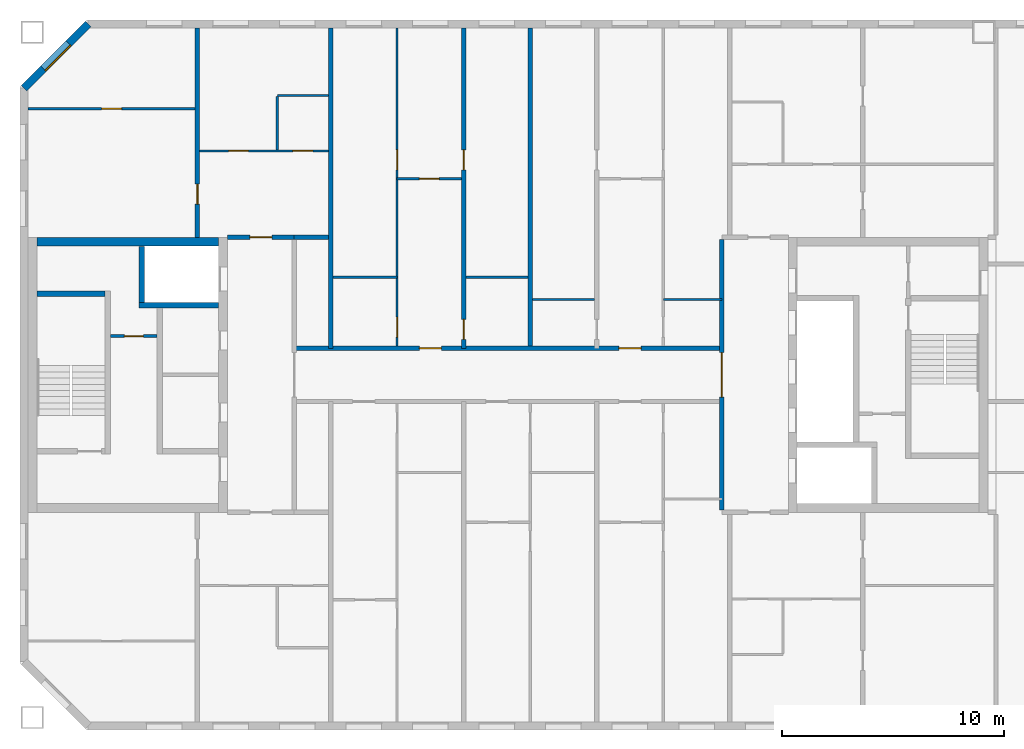
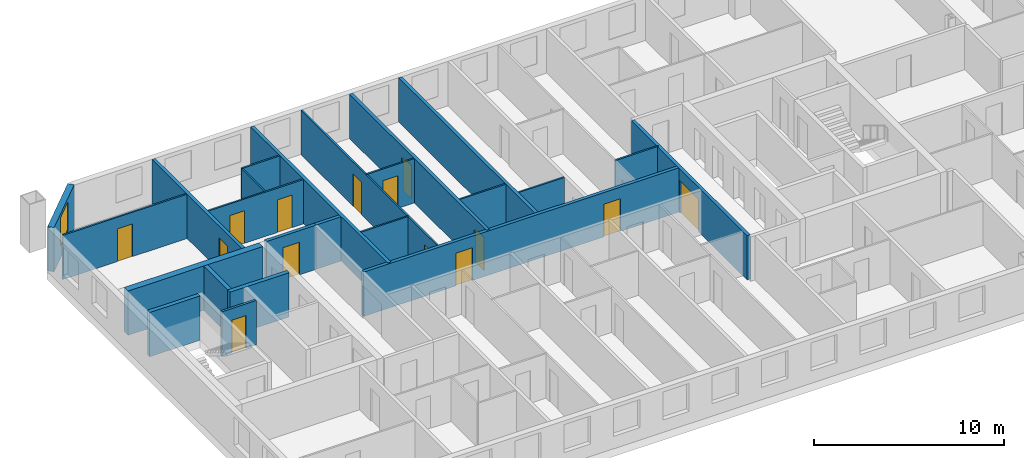
# One storey, part 6 of 19: 24 walls, 14 doors, 1 window, 15 openings.
"""IFC4 building model written with IfcOpenShell, lengths in metres."""

from ifc_helpers import new_model, si_unit, direction, frame, frame_2d, origin, place, context, subcontext, project, spatial, rectangle, extrude, material, layer, layer_set, type_object, element, fill, save


model = new_model("IFC4")

# Units and contexts
model_context = context("Model", 3, precision=1e-05, world=origin(), true_north=direction((0.0, 1.0)))
body_context = subcontext(model_context, "Body", "Model", "MODEL_VIEW")
ifc_project = project(units=[si_unit("LENGTHUNIT", "METRE"), si_unit("AREAUNIT", "SQUARE_METRE"), si_unit("VOLUMEUNIT", "CUBIC_METRE"), si_unit("PLANEANGLEUNIT", "RADIAN"), si_unit("MASSUNIT", "GRAM", prefix="KILO")], contexts=[model_context])

# Site, building, storey
site_placement = place(None, origin())
site = spatial("IfcSite", under=ifc_project, at=site_placement, CompositionType="ELEMENT")
building_placement = place(site_placement, origin())
building = spatial("IfcBuilding", under=site, at=building_placement, Name="Tuart Gate Housing", CompositionType="ELEMENT")
storey_placement = place(building_placement, frame((0.0, 0.0, 202.800048828125)))
storey = spatial("IfcBuildingStorey", under=building, at=storey_placement, Name="L57", CompositionType="ELEMENT", Elevation=202.800048828125)

# Wall, opening, window
ifc_material_1 = material(Name="Brick", Category="masonry")
ifc_layer_1 = layer(ifc_material_1, 0.360107421875)
ifc_layer_set_1 = layer_set([ifc_layer_1], Name="Brick pier and spandrel wall 360")
wall_type_1 = type_object("IfcWallType", Name="Brick pier and spandrel wall 360", PredefinedType="STANDARD", material=ifc_layer_set_1)
wall_1_placement = place(storey_placement, frame((35.07470703125, 85.820068359375, 0.0), z_axis=(0.0, 0.0, 1.0), x_axis=(-0.707106781187, -0.707106781187, 0.0)))
wall_1 = element("IfcWall", 1, at=wall_1_placement, inside=storey, type_object=wall_type_1, Name="External wall BLK-NW L57", PredefinedType="STANDARD", context=body_context, shape_type="SweptSolid", body=[
    extrude(rectangle(XDim=4.09375, YDim=0.360107421875, at=frame_2d((2.046875, 0.0))), origin(), (0.0, 0.0, 1.0), 2.849853515625),
])
opening_1_placement = place(wall_1_placement, frame((1.2470703125, 0.0, 0.800048828125)))
opening_1 = element("IfcOpeningElement", 2, at=opening_1_placement, cuts=wall_1, Name="Opening W1", PredefinedType="OPENING", context=body_context, shape_type="SweptSolid", body=[
    extrude(rectangle(XDim=1.60009765625, YDim=1.800048828125, at=frame_2d((0.800048828125, 0.89990234375))), frame((0.0, 0.18994140625, 0.0), z_axis=(0.0, -1.0, 0.0), x_axis=(1.0, 0.0, 0.0)), (0.0, 0.0, 1.0), 0.380126953125),
])
ifc_material_2 = material(Name="Aluminium frame with clear glass", Category="aluminium")
window_type = type_object("IfcWindowType", Name="Punched window 1600 x 1800", PartitioningType="SINGLE_PANEL", PredefinedType="WINDOW", material=ifc_material_2)
window_placement = place(opening_1_placement, origin())
window = element("IfcWindow", 3, at=window_placement, inside=storey, type_object=window_type, Name="Window W1", OverallHeight=1.800048828125, OverallWidth=1.60009765625, PartitioningType="SINGLE_PANEL", PredefinedType="WINDOW", context=body_context, shape_type="SweptSolid", body=[
    extrude(rectangle(XDim=1.60009765625, YDim=1.800048828125, at=frame_2d((0.800048828125, 0.89990234375))), frame((0.0, 0.150146484375, 0.0), z_axis=(0.0, -1.0, 0.0), x_axis=(1.0, 0.0, 0.0)), (0.0, 0.0, 1.0), 0.06005859375),
])
fill(opening_1, window)

# Wall, opening, door
ifc_material_3 = material(Name="Plasterboard partition")
ifc_layer_2 = layer(ifc_material_3, 0.14990234375)
ifc_layer_set_2 = layer_set([ifc_layer_2], Name="Core partition 150")
wall_type_2 = type_object("IfcWallType", Name="Core partition 150", PredefinedType="PARTITIONING", material=ifc_layer_set_2)
wall_2_placement = place(storey_placement, frame((38.18505859375, 71.75, 0.0), z_axis=(0.0, 0.0, 1.0), x_axis=(-1.0, 0.0, 0.0)))
wall_2 = element("IfcWall", 4, at=wall_2_placement, inside=storey, type_object=wall_type_2, Name="Core partition AK.3", PredefinedType="PARTITIONING", context=body_context, shape_type="SweptSolid", body=[
    extrude(rectangle(XDim=2.10009765625, YDim=0.14990234375, at=frame_2d((1.050048828125, 0.0))), origin(), (0.0, 0.0, 1.0), 2.849853515625),
])
opening_2_placement = place(wall_2_placement, frame((0.625, 0.0, 0.0)))
opening_2 = element("IfcOpeningElement", 5, at=opening_2_placement, cuts=wall_2, Name="Opening D1967", PredefinedType="OPENING", context=body_context, shape_type="SweptSolid", body=[
    extrude(rectangle(XDim=0.85009765625, YDim=2.10009765625, at=frame_2d((0.425048828125, 1.050048828125))), frame((0.0, 0.0849609375, 0.0), z_axis=(0.0, -1.0, 0.0), x_axis=(1.0, 0.0, 0.0)), (0.0, 0.0, 1.0), 0.169921875),
])
ifc_material_4 = material(Name="Steel fire door", Category="steel")
door_type_1 = type_object("IfcDoorType", Name="Riser door 850 x 2100 RH", OperationType="SINGLE_SWING_RIGHT", PredefinedType="DOOR", material=ifc_material_4)
door_1_placement = place(opening_2_placement, frame((0.85009765625, 0.0, 0.0), z_axis=(0.0, 0.0, 1.0), x_axis=(-1.0, 0.0, 0.0)))
door_1 = element("IfcDoor", 6, at=door_1_placement, inside=storey, type_object=door_type_1, Name="Service room door AK.E1", OperationType="SINGLE_SWING_RIGHT", OverallHeight=2.10009765625, OverallWidth=0.85009765625, PredefinedType="DOOR", context=body_context, shape_type="SweptSolid", body=[
    extrude(rectangle(XDim=0.85009765625, YDim=2.10009765625, at=frame_2d((0.425048828125, 1.050048828125))), frame((0.0, 0.025146484375, 0.0), z_axis=(0.0, -1.0, 0.0), x_axis=(1.0, 0.0, 0.0)), (0.0, 0.0, 1.0), 0.050048828125),
])
fill(opening_2, door_1)

# Walls
ifc_material_5 = material(Name="Concrete C40", Category="concrete")
ifc_layer_3 = layer(ifc_material_5, 0.25)
ifc_layer_set_3 = layer_set([ifc_layer_3], Name="Core wall 250 C40")
wall_type_3 = type_object("IfcWallType", Name="Core wall 250 C40", PredefinedType="SHEAR", material=ifc_layer_set_3)
wall_3_placement = place(storey_placement, frame((35.8349609375, 73.64990234375, 0.0), z_axis=(0.0, 0.0, 1.0), x_axis=(-1.0, 0.0, 0.0)))
element("IfcWall", 7, at=wall_3_placement, inside=storey, type_object=wall_type_3, Name="Core wall AK.1", PredefinedType="SHEAR", context=body_context, shape_type="SweptSolid", body=[
    extrude(rectangle(XDim=3.074951171875, YDim=0.25, at=frame_2d((1.53759765625, 0.0))), origin(), (0.0, 0.0, 1.0), 2.849853515625),
])
wall_4_placement = place(storey_placement, frame((40.9599609375, 73.14990234375, 0.0), z_axis=(0.0, 0.0, 1.0), x_axis=(-1.0, 0.0, 0.0)))
element("IfcWall", 8, at=wall_4_placement, inside=storey, type_object=wall_type_3, Name="Core wall AK.2", PredefinedType="SHEAR", context=body_context, shape_type="SweptSolid", body=[
    extrude(rectangle(XDim=3.594970703125, YDim=0.25, at=frame_2d((1.79736328125, 0.0))), origin(), (0.0, 0.0, 1.0), 2.849853515625),
])
wall_5_placement = place(storey_placement, frame((37.489990234375, 75.800048828125, 0.0), z_axis=(0.0, 0.0, 1.0), x_axis=(0.0, -1.0, 0.0)))
element("IfcWall", 9, at=wall_5_placement, inside=storey, type_object=wall_type_3, Name="Core wall AK.8", PredefinedType="SHEAR", context=body_context, shape_type="SweptSolid", body=[
    extrude(rectangle(XDim=2.525146484375, YDim=0.25, at=frame_2d((1.2626953125, 0.0))), origin(), (0.0, 0.0, 1.0), 2.849853515625),
])
ifc_material_6 = material(Name="Concrete C40", Category="concrete")
ifc_layer_4 = layer(ifc_material_6, 0.39990234375)
ifc_layer_set_4 = layer_set([ifc_layer_4], Name="Core wall 400 C40")
wall_type_4 = type_object("IfcWallType", Name="Core wall 400 C40", PredefinedType="SHEAR", material=ifc_layer_set_4)
wall_6_placement = place(storey_placement, frame((40.9599609375, 76.0, 0.0), z_axis=(0.0, 0.0, 1.0), x_axis=(-1.0, 0.0, 0.0)))
element("IfcWall", 10, at=wall_6_placement, inside=storey, type_object=wall_type_4, Name="Core wall AK south", PredefinedType="SHEAR", context=body_context, shape_type="SweptSolid", body=[
    extrude(rectangle(XDim=8.199951171875, YDim=0.39990234375, at=frame_2d((4.10009765625, 0.0))), origin(), (0.0, 0.0, 1.0), 2.849853515625),
])

# Wall, openings, doors
ifc_material_7 = material(Name="Concrete masonry 15 MPa", Category="masonry")
ifc_layer_5 = layer(ifc_material_7, 0.199951171875)
ifc_layer_set_5 = layer_set([ifc_layer_5], Name="Corridor wall masonry 200")
wall_type_5 = type_object("IfcWallType", Name="Corridor wall masonry 200", PredefinedType="PARTITIONING", material=ifc_layer_set_5)
wall_7_placement = place(storey_placement, frame((44.360107421875, 71.199951171875, 0.0), z_axis=(0.0, 0.0, 1.0), x_axis=(1.0, 0.0, 0.0)))
wall_7 = element("IfcWall", 11, at=wall_7_placement, inside=storey, type_object=wall_type_5, Name="Corridor wall masonry 200", PredefinedType="PARTITIONING", context=body_context, shape_type="SweptSolid", body=[
    extrude(rectangle(XDim=19.27978515625, YDim=0.199951171875, at=frame_2d((9.639892578125, 0.0))), origin(), (0.0, 0.0, 1.0), 2.849853515625),
])
opening_3_placement = place(wall_7_placement, frame((14.639892578125, 0.0, 0.0)))
opening_3 = element("IfcOpeningElement", 12, at=opening_3_placement, cuts=wall_7, Name="Opening D1968", PredefinedType="OPENING", context=body_context, shape_type="SweptSolid", body=[
    extrude(rectangle(XDim=1.0, YDim=2.10009765625, at=frame_2d((0.5, 1.050048828125))), frame((0.0, 0.10986328125, 0.0), z_axis=(0.0, -1.0, 0.0), x_axis=(1.0, 0.0, 0.0)), (0.0, 0.0, 1.0), 0.219970703125),
])
opening_4_placement = place(wall_7_placement, frame((5.639892578125, 0.0, 0.0)))
opening_4 = element("IfcOpeningElement", 13, at=opening_4_placement, cuts=wall_7, Name="Opening D1969", PredefinedType="OPENING", context=body_context, shape_type="SweptSolid", body=[
    extrude(rectangle(XDim=1.0, YDim=2.10009765625, at=frame_2d((0.5, 1.050048828125))), frame((0.0, 0.10986328125, 0.0), z_axis=(0.0, -1.0, 0.0), x_axis=(1.0, 0.0, 0.0)), (0.0, 0.0, 1.0), 0.219970703125),
])
ifc_material_8 = material(Name="Timber door leaf in steel frame", Category="steel")
door_type_2 = type_object("IfcDoorType", Name="Flat entrance door 1000", OperationType="SINGLE_SWING_LEFT", PredefinedType="DOOR", material=ifc_material_8)
door_2_placement = place(opening_3_placement, origin())
door_2 = element("IfcDoor", 14, at=door_2_placement, inside=storey, type_object=door_type_2, Name="Flat entrance door", OperationType="SINGLE_SWING_LEFT", OverallHeight=2.10009765625, OverallWidth=1.0, PredefinedType="DOOR", context=body_context, shape_type="SweptSolid", body=[
    extrude(rectangle(XDim=1.0, YDim=2.10009765625, at=frame_2d((0.5, 1.050048828125))), frame((0.0, 0.02490234375, 0.0), z_axis=(0.0, -1.0, 0.0), x_axis=(1.0, 0.0, 0.0)), (0.0, 0.0, 1.0), 0.050048828125),
])
fill(opening_3, door_2)
door_3_placement = place(opening_4_placement, origin())
door_3 = element("IfcDoor", 15, at=door_3_placement, inside=storey, type_object=door_type_2, Name="Flat entrance door", OperationType="SINGLE_SWING_LEFT", OverallHeight=2.10009765625, OverallWidth=1.0, PredefinedType="DOOR", context=body_context, shape_type="SweptSolid", body=[
    extrude(rectangle(XDim=1.0, YDim=2.10009765625, at=frame_2d((0.5, 1.050048828125))), frame((0.0, 0.02490234375, 0.0), z_axis=(0.0, -1.0, 0.0), x_axis=(1.0, 0.0, 0.0)), (0.0, 0.0, 1.0), 0.050048828125),
])
fill(opening_4, door_3)

# Wall, opening, door
ifc_material_9 = material(Name="Concrete masonry 15 MPa", Category="masonry")
ifc_layer_6 = layer(ifc_material_9, 0.199951171875)
ifc_layer_set_6 = layer_set([ifc_layer_6], Name="Enclosure wall masonry 200")
wall_type_6 = type_object("IfcWallType", Name="Enclosure wall masonry 200", PredefinedType="PARTITIONING", material=ifc_layer_set_6)
wall_8_placement = place(storey_placement, frame((41.360107421875, 76.199951171875, 0.0), z_axis=(0.0, 0.0, 1.0), x_axis=(1.0, 0.0, 0.0)))
wall_8 = element("IfcWall", 16, at=wall_8_placement, inside=storey, type_object=wall_type_6, Name="Enclosure wall masonry 200", PredefinedType="PARTITIONING", context=body_context, shape_type="SweptSolid", body=[
    extrude(rectangle(XDim=3.0, YDim=0.199951171875, at=frame_2d((1.5, 0.0))), origin(), (0.0, 0.0, 1.0), 2.849853515625),
])
opening_5_placement = place(wall_8_placement, frame((1.0, 0.0, 0.0)))
opening_5 = element("IfcOpeningElement", 17, at=opening_5_placement, cuts=wall_8, Name="Opening D1964", PredefinedType="OPENING", context=body_context, shape_type="SweptSolid", body=[
    extrude(rectangle(XDim=1.0, YDim=2.10009765625, at=frame_2d((0.5, 1.050048828125))), frame((0.0, 0.10986328125, 0.0), z_axis=(0.0, -1.0, 0.0), x_axis=(1.0, 0.0, 0.0)), (0.0, 0.0, 1.0), 0.219970703125),
])
door_4_placement = place(opening_5_placement, origin())
door_4 = element("IfcDoor", 18, at=door_4_placement, inside=storey, type_object=door_type_2, Name="Flat entrance door", OperationType="SINGLE_SWING_LEFT", OverallHeight=2.10009765625, OverallWidth=1.0, PredefinedType="DOOR", context=body_context, shape_type="SweptSolid", body=[
    extrude(rectangle(XDim=1.0, YDim=2.10009765625, at=frame_2d((0.5, 1.050048828125))), frame((0.0, 0.02490234375, 0.0), z_axis=(0.0, -1.0, 0.0), x_axis=(1.0, 0.0, 0.0)), (0.0, 0.0, 1.0), 0.050048828125),
])
fill(opening_5, door_4)

ifc_material_10 = material(Name="Plasterboard partition")
ifc_layer_7 = layer(ifc_material_10, 0.199951171875)
ifc_layer_set_7 = layer_set([ifc_layer_7], Name="Lobby wall 200")
wall_type_7 = type_object("IfcWallType", Name="Lobby wall 200", PredefinedType="PARTITIONING", material=ifc_layer_set_7)
wall_9_placement = place(storey_placement, frame((63.639892578125, 63.89990234375, 0.0), z_axis=(0.0, 0.0, 1.0), x_axis=(0.0, 1.0, 0.0)))
wall_9 = element("IfcWall", 19, at=wall_9_placement, inside=storey, type_object=wall_type_7, Name="Lift lobby wall AG", PredefinedType="PARTITIONING", context=body_context, shape_type="SweptSolid", body=[
    extrude(rectangle(XDim=12.2001953125, YDim=0.199951171875, at=frame_2d((6.10009765625, 0.0))), origin(), (0.0, 0.0, 1.0), 2.849853515625),
])
opening_6_placement = place(wall_9_placement, frame((5.10009765625, 0.0, 0.0)))
opening_6 = element("IfcOpeningElement", 20, at=opening_6_placement, cuts=wall_9, Name="Opening D1974", PredefinedType="OPENING", context=body_context, shape_type="SweptSolid", body=[
    extrude(rectangle(XDim=2.0, YDim=2.10009765625, at=frame_2d((1.0, 1.050048828125))), frame((0.0, 0.10986328125, 0.0), z_axis=(0.0, -1.0, 0.0), x_axis=(1.0, 0.0, 0.0)), (0.0, 0.0, 1.0), 0.219970703125),
])
ifc_material_11 = material(Name="Steel fire door", Category="steel")
door_type_3 = type_object("IfcDoorType", Name="Smoke door 2000 x 2100", OperationType="DOUBLE_DOOR_SINGLE_SWING", PredefinedType="DOOR", material=ifc_material_11)
door_5_placement = place(opening_6_placement, frame((2.0, 0.0, 0.0), z_axis=(0.0, 0.0, 1.0), x_axis=(-1.0, 0.0, 0.0)))
door_5 = element("IfcDoor", 21, at=door_5_placement, inside=storey, type_object=door_type_3, Name="Lift lobby smoke door AG", OperationType="DOUBLE_DOOR_SINGLE_SWING", OverallHeight=2.10009765625, OverallWidth=2.0, PredefinedType="DOOR", context=body_context, shape_type="SweptSolid", body=[
    extrude(rectangle(XDim=2.0, YDim=2.10009765625, at=frame_2d((1.0, 1.050048828125))), frame((0.0, 0.025146484375, 0.0), z_axis=(0.0, -1.0, 0.0), x_axis=(1.0, 0.0, 0.0)), (0.0, 0.0, 1.0), 0.050048828125),
])
fill(opening_6, door_5)

# Walls
ifc_material_12 = material(Name="Gypsum board on steel studs", Category="steel")
ifc_layer_8 = layer(ifc_material_12, 0.10009765625)
ifc_layer_set_8 = layer_set([ifc_layer_8], Name="Partition 100")
wall_type_8 = type_object("IfcWallType", Name="Partition 100", PredefinedType="PARTITIONING", material=ifc_layer_set_8)
wall_10_placement = place(storey_placement, frame((55.10009765625, 73.39990234375, 0.0), z_axis=(0.0, 0.0, 1.0), x_axis=(1.0, 0.0, 0.0)))
element("IfcWall", 22, at=wall_10_placement, inside=storey, type_object=wall_type_8, Name="Partition 100", PredefinedType="PARTITIONING", context=body_context, shape_type="SweptSolid", body=[
    extrude(rectangle(XDim=2.7998046875, YDim=0.10009765625, at=frame_2d((1.39990234375, 0.0))), origin(), (0.0, 0.0, 1.0), 2.849853515625),
])
wall_11_placement = place(storey_placement, frame((61.0, 73.39990234375, 0.0), z_axis=(0.0, 0.0, 1.0), x_axis=(1.0, 0.0, 0.0)))
element("IfcWall", 23, at=wall_11_placement, inside=storey, type_object=wall_type_8, Name="Partition 100", PredefinedType="PARTITIONING", context=body_context, shape_type="SweptSolid", body=[
    extrude(rectangle(XDim=2.639892578125, YDim=0.10009765625, at=frame_2d((1.31982421875, 0.0))), origin(), (0.0, 0.0, 1.0), 2.849853515625),
])
wall_12_placement = place(storey_placement, frame((46.10009765625, 74.39990234375, 0.0), z_axis=(0.0, 0.0, 1.0), x_axis=(1.0, 0.0, 0.0)))
element("IfcWall", 24, at=wall_12_placement, inside=storey, type_object=wall_type_8, Name="Partition 100", PredefinedType="PARTITIONING", context=body_context, shape_type="SweptSolid", body=[
    extrude(rectangle(XDim=2.89990234375, YDim=0.10009765625, at=frame_2d((1.449951171875, 0.0))), origin(), (0.0, 0.0, 1.0), 2.849853515625),
])
wall_13_placement = place(storey_placement, frame((52.10009765625, 74.39990234375, 0.0), z_axis=(0.0, 0.0, 1.0), x_axis=(1.0, 0.0, 0.0)))
element("IfcWall", 25, at=wall_13_placement, inside=storey, type_object=wall_type_8, Name="Partition 100", PredefinedType="PARTITIONING", context=body_context, shape_type="SweptSolid", body=[
    extrude(rectangle(XDim=2.7998046875, YDim=0.10009765625, at=frame_2d((1.39990234375, 0.0))), origin(), (0.0, 0.0, 1.0), 2.849853515625),
])

# Wall, opening, door
wall_14_placement = place(storey_placement, frame((49.0, 78.840087890625, 0.0), z_axis=(0.0, 0.0, 1.0), x_axis=(1.0, 0.0, 0.0)))
wall_14 = element("IfcWall", 26, at=wall_14_placement, inside=storey, type_object=wall_type_8, Name="Partition 100", PredefinedType="PARTITIONING", context=body_context, shape_type="SweptSolid", body=[
    extrude(rectangle(XDim=2.89990234375, YDim=0.10009765625, at=frame_2d((1.449951171875, 0.0))), origin(), (0.0, 0.0, 1.0), 2.849853515625),
])
opening_7_placement = place(wall_14_placement, frame((1.0, 0.0, 0.0)))
opening_7 = element("IfcOpeningElement", 27, at=opening_7_placement, cuts=wall_14, Name="Opening D1954", PredefinedType="OPENING", context=body_context, shape_type="SweptSolid", body=[
    extrude(rectangle(XDim=0.89990234375, YDim=2.10009765625, at=frame_2d((0.449951171875, 1.050048828125))), frame((0.0, 0.06005859375, 0.0), z_axis=(0.0, -1.0, 0.0), x_axis=(1.0, 0.0, 0.0)), (0.0, 0.0, 1.0), 0.1201171875),
])
ifc_material_13 = material(Name="Timber door leaf in steel frame", Category="steel")
door_type_4 = type_object("IfcDoorType", Name="Internal door 900 RH", OperationType="SINGLE_SWING_RIGHT", PredefinedType="DOOR", material=ifc_material_13)
door_6_placement = place(opening_7_placement, frame((0.89990234375, 0.0, 0.0), z_axis=(0.0, 0.0, 1.0), x_axis=(-1.0, 0.0, 0.0)))
door_6 = element("IfcDoor", 28, at=door_6_placement, inside=storey, type_object=door_type_4, Name="Internal door", OperationType="SINGLE_SWING_RIGHT", OverallHeight=2.10009765625, OverallWidth=0.89990234375, PredefinedType="DOOR", context=body_context, shape_type="SweptSolid", body=[
    extrude(rectangle(XDim=0.89990234375, YDim=2.10009765625, at=frame_2d((0.449951171875, 1.050048828125))), frame((0.0, 0.025146484375, 0.0), z_axis=(0.0, -1.0, 0.0), x_axis=(1.0, 0.0, 0.0)), (0.0, 0.0, 1.0), 0.050048828125),
])
fill(opening_7, door_6)

# Wall, openings, doors
wall_15_placement = place(storey_placement, frame((40.10009765625, 80.10009765625, 0.0), z_axis=(0.0, 0.0, 1.0), x_axis=(1.0, 0.0, 0.0)))
wall_15 = element("IfcWall", 29, at=wall_15_placement, inside=storey, type_object=wall_type_8, Name="Partition 100", PredefinedType="PARTITIONING", context=body_context, shape_type="SweptSolid", body=[
    extrude(rectangle(XDim=5.7998046875, YDim=0.10009765625, at=frame_2d((2.89990234375, 0.0))), origin(), (0.0, 0.0, 1.0), 2.849853515625),
])
opening_8_placement = place(wall_15_placement, frame((1.300048828125, 0.0, 0.0)))
opening_8 = element("IfcOpeningElement", 30, at=opening_8_placement, cuts=wall_15, Name="Opening D1951", PredefinedType="OPENING", context=body_context, shape_type="SweptSolid", body=[
    extrude(rectangle(XDim=0.89990234375, YDim=2.10009765625, at=frame_2d((0.449951171875, 1.050048828125))), frame((0.0, 0.06005859375, 0.0), z_axis=(0.0, -1.0, 0.0), x_axis=(1.0, 0.0, 0.0)), (0.0, 0.0, 1.0), 0.1201171875),
])
opening_9_placement = place(wall_15_placement, frame((4.199951171875, 0.0, 0.0)))
opening_9 = element("IfcOpeningElement", 31, at=opening_9_placement, cuts=wall_15, Name="Opening D1950", PredefinedType="OPENING", context=body_context, shape_type="SweptSolid", body=[
    extrude(rectangle(XDim=0.89990234375, YDim=2.10009765625, at=frame_2d((0.449951171875, 1.050048828125))), frame((0.0, 0.06005859375, 0.0), z_axis=(0.0, -1.0, 0.0), x_axis=(1.0, 0.0, 0.0)), (0.0, 0.0, 1.0), 0.1201171875),
])
ifc_material_14 = material(Name="Timber door leaf in steel frame", Category="steel")
door_type_5 = type_object("IfcDoorType", Name="Bathroom door 900", OperationType="SINGLE_SWING_LEFT", PredefinedType="DOOR", material=ifc_material_14)
door_7_placement = place(opening_9_placement, origin())
door_7 = element("IfcDoor", 32, at=door_7_placement, inside=storey, type_object=door_type_5, Name="Bathroom door", OperationType="SINGLE_SWING_LEFT", OverallHeight=2.10009765625, OverallWidth=0.89990234375, PredefinedType="DOOR", context=body_context, shape_type="SweptSolid", body=[
    extrude(rectangle(XDim=0.89990234375, YDim=2.10009765625, at=frame_2d((0.449951171875, 1.050048828125))), frame((0.0, 0.02490234375, 0.0), z_axis=(0.0, -1.0, 0.0), x_axis=(1.0, 0.0, 0.0)), (0.0, 0.0, 1.0), 0.050048828125),
])
fill(opening_9, door_7)
door_8_placement = place(opening_8_placement, origin())
door_8 = element("IfcDoor", 33, at=door_8_placement, inside=storey, type_object=door_type_4, Name="Internal door", OperationType="SINGLE_SWING_RIGHT", OverallHeight=2.10009765625, OverallWidth=0.89990234375, PredefinedType="DOOR", context=body_context, shape_type="SweptSolid", body=[
    extrude(rectangle(XDim=0.89990234375, YDim=2.10009765625, at=frame_2d((0.449951171875, 1.050048828125))), frame((0.0, 0.02490234375, 0.0), z_axis=(0.0, -1.0, 0.0), x_axis=(1.0, 0.0, 0.0)), (0.0, 0.0, 1.0), 0.050048828125),
])
fill(opening_8, door_8)

# Wall, opening, door
wall_16_placement = place(storey_placement, frame((32.360107421875, 82.0, 0.0), z_axis=(0.0, 0.0, 1.0), x_axis=(1.0, 0.0, 0.0)))
wall_16 = element("IfcWall", 34, at=wall_16_placement, inside=storey, type_object=wall_type_8, Name="Partition 100", PredefinedType="PARTITIONING", context=body_context, shape_type="SweptSolid", body=[
    extrude(rectangle(XDim=7.539794921875, YDim=0.10009765625, at=frame_2d((3.77001953125, 0.0))), origin(), (0.0, 0.0, 1.0), 2.849853515625),
])
opening_10_placement = place(wall_16_placement, frame((3.320068359375, 0.0, 0.0)))
opening_10 = element("IfcOpeningElement", 35, at=opening_10_placement, cuts=wall_16, Name="Opening D1946", PredefinedType="OPENING", context=body_context, shape_type="SweptSolid", body=[
    extrude(rectangle(XDim=0.89990234375, YDim=2.10009765625, at=frame_2d((0.449951171875, 1.050048828125))), frame((0.0, 0.06005859375, 0.0), z_axis=(0.0, -1.0, 0.0), x_axis=(1.0, 0.0, 0.0)), (0.0, 0.0, 1.0), 0.1201171875),
])
ifc_material_15 = material(Name="Timber door leaf in steel frame", Category="steel")
door_type_6 = type_object("IfcDoorType", Name="Internal door 900", OperationType="SINGLE_SWING_LEFT", PredefinedType="DOOR", material=ifc_material_15)
door_9_placement = place(opening_10_placement, origin())
door_9 = element("IfcDoor", 36, at=door_9_placement, inside=storey, type_object=door_type_6, Name="Internal door", OperationType="SINGLE_SWING_LEFT", OverallHeight=2.10009765625, OverallWidth=0.89990234375, PredefinedType="DOOR", context=body_context, shape_type="SweptSolid", body=[
    extrude(rectangle(XDim=0.89990234375, YDim=2.10009765625, at=frame_2d((0.449951171875, 1.050048828125))), frame((0.0, 0.02490234375, 0.0), z_axis=(0.0, -1.0, 0.0), x_axis=(1.0, 0.0, 0.0)), (0.0, 0.0, 1.0), 0.050048828125),
])
fill(opening_10, door_9)

# Walls
wall_17_placement = place(storey_placement, frame((43.60009765625, 82.60009765625, 0.0), z_axis=(0.0, 0.0, 1.0), x_axis=(1.0, 0.0, 0.0)))
element("IfcWall", 37, at=wall_17_placement, inside=storey, type_object=wall_type_8, Name="Partition 100", PredefinedType="PARTITIONING", context=body_context, shape_type="SweptSolid", body=[
    extrude(rectangle(XDim=2.2998046875, YDim=0.10009765625, at=frame_2d((1.14990234375, 0.0))), origin(), (0.0, 0.0, 1.0), 2.849853515625),
])
wall_18_placement = place(storey_placement, frame((43.60009765625, 80.14990234375, 0.0), z_axis=(0.0, 0.0, 1.0), x_axis=(0.0, 1.0, 0.0)))
element("IfcWall", 38, at=wall_18_placement, inside=storey, type_object=wall_type_8, Name="Partition 100", PredefinedType="PARTITIONING", context=body_context, shape_type="SweptSolid", body=[
    extrude(rectangle(XDim=2.400146484375, YDim=0.10009765625, at=frame_2d((1.2001953125, 0.0))), origin(), (0.0, 0.0, 1.0), 2.849853515625),
])

# Wall, openings, doors
wall_19_placement = place(storey_placement, frame((49.0, 71.300048828125, 0.0), z_axis=(0.0, 0.0, 1.0), x_axis=(0.0, 1.0, 0.0)))
wall_19 = element("IfcWall", 39, at=wall_19_placement, inside=storey, type_object=wall_type_8, Name="Partition 100", PredefinedType="PARTITIONING", context=body_context, shape_type="SweptSolid", body=[
    extrude(rectangle(XDim=14.33984375, YDim=0.10009765625, at=frame_2d((7.169921875, 0.0))), origin(), (0.0, 0.0, 1.0), 2.849853515625),
])
opening_11_placement = place(wall_19_placement, frame((7.93994140625, 0.0, 0.0)))
opening_11 = element("IfcOpeningElement", 40, at=opening_11_placement, cuts=wall_19, Name="Opening D1957", PredefinedType="OPENING", context=body_context, shape_type="SweptSolid", body=[
    extrude(rectangle(XDim=0.89990234375, YDim=2.10009765625, at=frame_2d((0.449951171875, 1.050048828125))), frame((0.0, 0.06005859375, 0.0), z_axis=(0.0, -1.0, 0.0), x_axis=(1.0, 0.0, 0.0)), (0.0, 0.0, 1.0), 0.1201171875),
])
opening_12_placement = place(wall_19_placement, frame((0.39990234375, 0.0, 0.0)))
opening_12 = element("IfcOpeningElement", 41, at=opening_12_placement, cuts=wall_19, Name="Opening D1956", PredefinedType="OPENING", context=body_context, shape_type="SweptSolid", body=[
    extrude(rectangle(XDim=0.89990234375, YDim=2.10009765625, at=frame_2d((0.449951171875, 1.050048828125))), frame((0.0, 0.06005859375, 0.0), z_axis=(0.0, -1.0, 0.0), x_axis=(1.0, 0.0, 0.0)), (0.0, 0.0, 1.0), 0.1201171875),
])
door_10_placement = place(opening_12_placement, origin())
door_10 = element("IfcDoor", 42, at=door_10_placement, inside=storey, type_object=door_type_5, Name="Bathroom door", OperationType="SINGLE_SWING_LEFT", OverallHeight=2.10009765625, OverallWidth=0.89990234375, PredefinedType="DOOR", context=body_context, shape_type="SweptSolid", body=[
    extrude(rectangle(XDim=0.89990234375, YDim=2.10009765625, at=frame_2d((0.449951171875, 1.050048828125))), frame((0.0, 0.02490234375, 0.0), z_axis=(0.0, -1.0, 0.0), x_axis=(1.0, 0.0, 0.0)), (0.0, 0.0, 1.0), 0.050048828125),
])
fill(opening_12, door_10)
door_11_placement = place(opening_11_placement, origin())
door_11 = element("IfcDoor", 43, at=door_11_placement, inside=storey, type_object=door_type_6, Name="Internal door", OperationType="SINGLE_SWING_LEFT", OverallHeight=2.10009765625, OverallWidth=0.89990234375, PredefinedType="DOOR", context=body_context, shape_type="SweptSolid", body=[
    extrude(rectangle(XDim=0.89990234375, YDim=2.10009765625, at=frame_2d((0.449951171875, 1.050048828125))), frame((0.0, 0.02490234375, 0.0), z_axis=(0.0, -1.0, 0.0), x_axis=(1.0, 0.0, 0.0)), (0.0, 0.0, 1.0), 0.050048828125),
])
fill(opening_11, door_11)

# Wall, opening, door
ifc_material_16 = material(Name="Concrete C40", Category="concrete")
ifc_layer_9 = layer(ifc_material_16, 0.199951171875)
ifc_layer_set_9 = layer_set([ifc_layer_9], Name="Party wall concrete C40 200")
wall_type_9 = type_object("IfcWallType", Name="Party wall concrete C40 200", PredefinedType="SOLIDWALL", material=ifc_layer_set_9)
wall_20_placement = place(storey_placement, frame((40.0, 76.199951171875, 0.0), z_axis=(0.0, 0.0, 1.0), x_axis=(0.0, 1.0, 0.0)))
wall_20 = element("IfcWall", 44, at=wall_20_placement, inside=storey, type_object=wall_type_9, Name="Party wall concrete C40 200", PredefinedType="SOLIDWALL", context=body_context, shape_type="SweptSolid", body=[
    extrude(rectangle(XDim=9.43994140625, YDim=0.199951171875, at=frame_2d((4.719970703125, 0.0))), origin(), (0.0, 0.0, 1.0), 2.849853515625),
])
opening_13_placement = place(wall_20_placement, frame((1.5, 0.0, 0.0)))
opening_13 = element("IfcOpeningElement", 45, at=opening_13_placement, cuts=wall_20, Name="Opening D1947", PredefinedType="OPENING", context=body_context, shape_type="SweptSolid", body=[
    extrude(rectangle(XDim=0.89990234375, YDim=2.10009765625, at=frame_2d((0.449951171875, 1.050048828125))), frame((0.0, 0.10986328125, 0.0), z_axis=(0.0, -1.0, 0.0), x_axis=(1.0, 0.0, 0.0)), (0.0, 0.0, 1.0), 0.219970703125),
])
door_12_placement = place(opening_13_placement, frame((0.89990234375, 0.0, 0.0), z_axis=(0.0, 0.0, 1.0), x_axis=(-1.0, 0.0, 0.0)))
door_12 = element("IfcDoor", 46, at=door_12_placement, inside=storey, type_object=door_type_4, Name="Internal door", OperationType="SINGLE_SWING_RIGHT", OverallHeight=2.10009765625, OverallWidth=0.89990234375, PredefinedType="DOOR", context=body_context, shape_type="SweptSolid", body=[
    extrude(rectangle(XDim=0.89990234375, YDim=2.10009765625, at=frame_2d((0.449951171875, 1.050048828125))), frame((0.0, 0.025146484375, 0.0), z_axis=(0.0, -1.0, 0.0), x_axis=(1.0, 0.0, 0.0)), (0.0, 0.0, 1.0), 0.050048828125),
])
fill(opening_13, door_12)

# Wall
wall_21_placement = place(storey_placement, frame((46.0, 71.199951171875, 0.0), z_axis=(0.0, 0.0, 1.0), x_axis=(0.0, 1.0, 0.0)))
element("IfcWall", 47, at=wall_21_placement, inside=storey, type_object=wall_type_9, Name="Party wall concrete C40 200", PredefinedType="SOLIDWALL", context=body_context, shape_type="SweptSolid", body=[
    extrude(rectangle(XDim=14.43994140625, YDim=0.199951171875, at=frame_2d((7.219970703125, 0.0))), origin(), (0.0, 0.0, 1.0), 2.849853515625),
])

# Wall, openings, doors
wall_22_placement = place(storey_placement, frame((52.0, 71.199951171875, 0.0), z_axis=(0.0, 0.0, 1.0), x_axis=(0.0, 1.0, 0.0)))
wall_22 = element("IfcWall", 48, at=wall_22_placement, inside=storey, type_object=wall_type_9, Name="Party wall concrete C40 200", PredefinedType="SOLIDWALL", context=body_context, shape_type="SweptSolid", body=[
    extrude(rectangle(XDim=14.43994140625, YDim=0.199951171875, at=frame_2d((7.219970703125, 0.0))), origin(), (0.0, 0.0, 1.0), 2.849853515625),
])
opening_14_placement = place(wall_22_placement, frame((8.0400390625, 0.0, 0.0)))
opening_14 = element("IfcOpeningElement", 49, at=opening_14_placement, cuts=wall_22, Name="Opening D1961", PredefinedType="OPENING", context=body_context, shape_type="SweptSolid", body=[
    extrude(rectangle(XDim=0.89990234375, YDim=2.10009765625, at=frame_2d((0.449951171875, 1.050048828125))), frame((0.0, 0.10986328125, 0.0), z_axis=(0.0, -1.0, 0.0), x_axis=(1.0, 0.0, 0.0)), (0.0, 0.0, 1.0), 0.219970703125),
])
opening_15_placement = place(wall_22_placement, frame((0.39990234375, 0.0, 0.0)))
opening_15 = element("IfcOpeningElement", 50, at=opening_15_placement, cuts=wall_22, Name="Opening D1960", PredefinedType="OPENING", context=body_context, shape_type="SweptSolid", body=[
    extrude(rectangle(XDim=0.89990234375, YDim=2.10009765625, at=frame_2d((0.449951171875, 1.050048828125))), frame((0.0, 0.10986328125, 0.0), z_axis=(0.0, -1.0, 0.0), x_axis=(1.0, 0.0, 0.0)), (0.0, 0.0, 1.0), 0.219970703125),
])
ifc_material_17 = material(Name="Timber door leaf in steel frame", Category="steel")
door_type_7 = type_object("IfcDoorType", Name="Bathroom door 900 RH", OperationType="SINGLE_SWING_RIGHT", PredefinedType="DOOR", material=ifc_material_17)
door_13_placement = place(opening_15_placement, frame((0.89990234375, 0.0, 0.0), z_axis=(0.0, 0.0, 1.0), x_axis=(-1.0, 0.0, 0.0)))
door_13 = element("IfcDoor", 51, at=door_13_placement, inside=storey, type_object=door_type_7, Name="Bathroom door", OperationType="SINGLE_SWING_RIGHT", OverallHeight=2.10009765625, OverallWidth=0.89990234375, PredefinedType="DOOR", context=body_context, shape_type="SweptSolid", body=[
    extrude(rectangle(XDim=0.89990234375, YDim=2.10009765625, at=frame_2d((0.449951171875, 1.050048828125))), frame((0.0, 0.025146484375, 0.0), z_axis=(0.0, -1.0, 0.0), x_axis=(1.0, 0.0, 0.0)), (0.0, 0.0, 1.0), 0.050048828125),
])
fill(opening_15, door_13)
door_14_placement = place(opening_14_placement, frame((0.89990234375, 0.0, 0.0), z_axis=(0.0, 0.0, 1.0), x_axis=(-1.0, 0.0, 0.0)))
door_14 = element("IfcDoor", 52, at=door_14_placement, inside=storey, type_object=door_type_4, Name="Internal door", OperationType="SINGLE_SWING_RIGHT", OverallHeight=2.10009765625, OverallWidth=0.89990234375, PredefinedType="DOOR", context=body_context, shape_type="SweptSolid", body=[
    extrude(rectangle(XDim=0.89990234375, YDim=2.10009765625, at=frame_2d((0.449951171875, 1.050048828125))), frame((0.0, 0.025146484375, 0.0), z_axis=(0.0, -1.0, 0.0), x_axis=(1.0, 0.0, 0.0)), (0.0, 0.0, 1.0), 0.050048828125),
])
fill(opening_14, door_14)

# Walls
ifc_material_18 = material(Name="Concrete masonry 15 MPa", Category="masonry")
ifc_layer_10 = layer(ifc_material_18, 0.199951171875)
ifc_layer_set_10 = layer_set([ifc_layer_10], Name="Party wall masonry 200")
wall_type_10 = type_object("IfcWallType", Name="Party wall masonry 200", PredefinedType="PARTITIONING", material=ifc_layer_set_10)
wall_23_placement = place(storey_placement, frame((44.360107421875, 76.199951171875, 0.0), z_axis=(0.0, 0.0, 1.0), x_axis=(1.0, 0.0, 0.0)))
element("IfcWall", 53, at=wall_23_placement, inside=storey, type_object=wall_type_10, Name="Party wall masonry 200", PredefinedType="PARTITIONING", context=body_context, shape_type="SweptSolid", body=[
    extrude(rectangle(XDim=1.539794921875, YDim=0.199951171875, at=frame_2d((0.77001953125, 0.0))), origin(), (0.0, 0.0, 1.0), 2.849853515625),
])
wall_24_placement = place(storey_placement, frame((55.0, 71.300048828125, 0.0), z_axis=(0.0, 0.0, 1.0), x_axis=(0.0, 1.0, 0.0)))
element("IfcWall", 54, at=wall_24_placement, inside=storey, type_object=wall_type_10, Name="Party wall masonry 200", PredefinedType="PARTITIONING", context=body_context, shape_type="SweptSolid", body=[
    extrude(rectangle(XDim=14.33984375, YDim=0.199951171875, at=frame_2d((7.169921875, 0.0))), origin(), (0.0, 0.0, 1.0), 2.849853515625),
])

save(model, "model.ifc")
